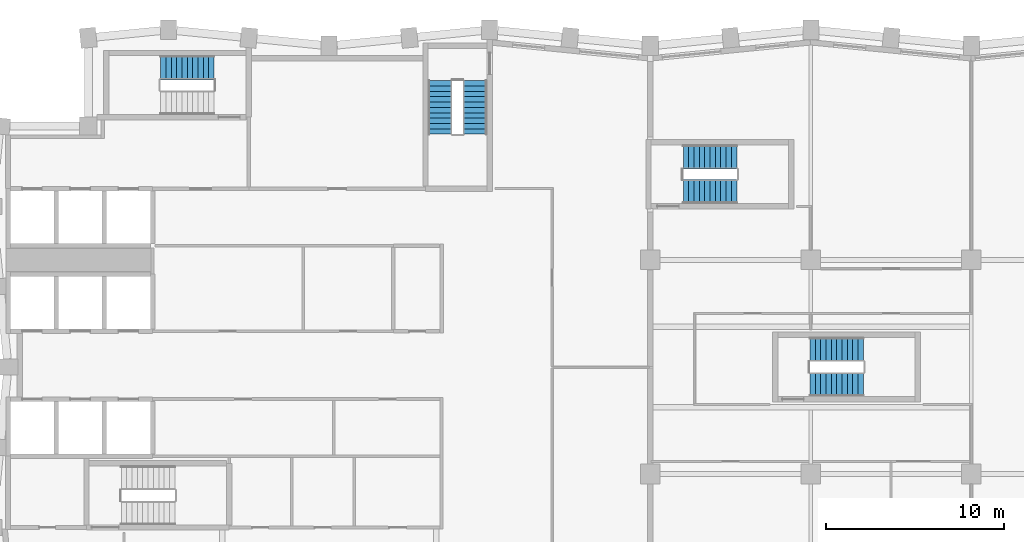
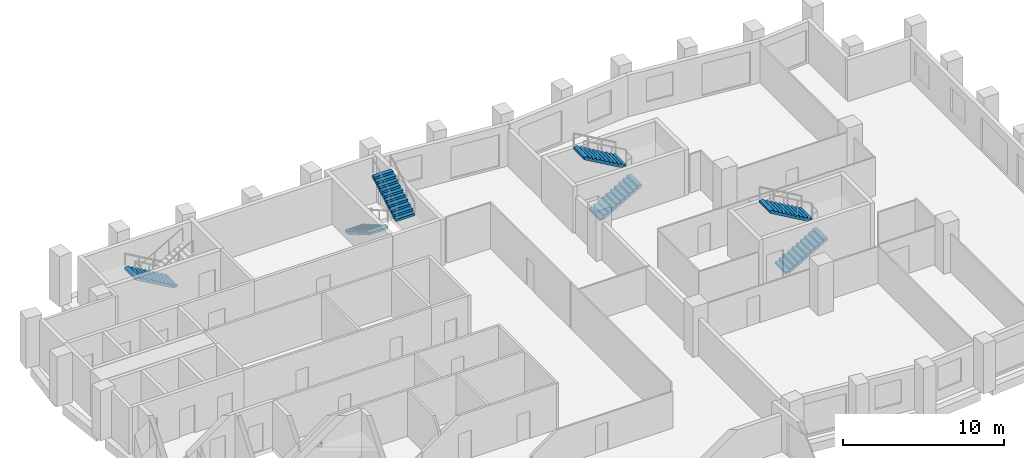
# One storey, part 8 of 10: 7 stair flights, 4 elements without a shape of their own.
"""IFC4 building model written with IfcOpenShell, lengths in metres."""

from ifc_helpers import new_model, si_unit, direction, frame, origin, place, context, subcontext, project, spatial, polyline, outline, extrude, material, type_object, element, aggregate, save


model = new_model("IFC4")

# Units and contexts
model_context = context("Model", 3, precision=1e-05, world=origin(), true_north=direction((0.0, 1.0)))
body_context = subcontext(model_context, "Body", "Model", "MODEL_VIEW")
ifc_project = project(units=[si_unit("LENGTHUNIT", "METRE"), si_unit("AREAUNIT", "SQUARE_METRE"), si_unit("VOLUMEUNIT", "CUBIC_METRE"), si_unit("PLANEANGLEUNIT", "RADIAN"), si_unit("MASSUNIT", "GRAM", prefix="KILO")], contexts=[model_context])

# Site, building, storey
site_placement = place(None, origin())
site = spatial("IfcSite", under=ifc_project, at=site_placement, CompositionType="ELEMENT")
building_placement = place(site_placement, origin())
building = spatial("IfcBuilding", under=site, at=building_placement, Name="Brondeck Convention Tower", CompositionType="ELEMENT")
storey_placement = place(building_placement, frame((0.0, 0.0, 162.39990234375)))
storey = spatial("IfcBuildingStorey", under=building, at=storey_placement, Name="L39", CompositionType="ELEMENT", Elevation=162.39990234375)

# Stair, stair flights
ifc_material = material(Name="Precast concrete C50/60", Category="concrete")
stair_type = type_object("IfcStairType", Name="Core stair 22 risers 172.73 mm riser 300 mm going 1350 wide", PredefinedType="HALF_TURN_STAIR", material=ifc_material)
stair_1_placement = place(storey_placement, origin())
stair_1 = element("IfcStair", 1, at=stair_1_placement, inside=storey, type_object=stair_type, Name="ST-2 L39 stair", PredefinedType="HALF_TURN_STAIR")
stair_flight_type = type_object("IfcStairFlightType", Name="Core stair flight 22 risers 172.73 mm riser 300 mm going 1350 wide", PredefinedType="STRAIGHT", material=ifc_material)
stair_flight_1_placement = place(storey_placement, frame((24.22509765625, 61.050048828125, 0.0), z_axis=(0.0, 0.0, 1.0), x_axis=(0.0, -1.0, 0.0)))
stair_flight_1 = element("IfcStairFlight", 2, at=stair_flight_1_placement, type_object=stair_flight_type, Name="ST-2 flight 1", NumberOfRisers=11, NumberOfTreads=10, PredefinedType="STRAIGHT", RiserHeight=0.172727273, TreadLength=0.3, context=body_context, shape_type="SweptSolid", body=[
    extrude(outline(polyline([(0.0, 0.0), (0.0, 0.172607421875), (0.300048828125, 0.172607421875), (0.300048828125, 0.345458984375), (0.60009765625, 0.345458984375), (0.60009765625, 0.51806640625), (0.89990234375, 0.51806640625), (0.89990234375, 0.69091796875), (1.199951171875, 0.69091796875), (1.199951171875, 0.863525390625), (1.5, 0.863525390625), (1.5, 1.036376953125), (1.800048828125, 1.036376953125), (1.800048828125, 1.208984375), (2.10009765625, 1.208984375), (2.10009765625, 1.3818359375), (2.39990234375, 1.3818359375), (2.39990234375, 1.554443359375), (2.699951171875, 1.554443359375), (2.699951171875, 1.727294921875), (3.0, 1.727294921875), (3.0, 1.89990234375), (3.0, 1.55419921875), (0.300537109375, 0.0), (0.0, 0.0)])), frame((0.0, 0.675048828125, 0.0), z_axis=(0.0, -1.0, 0.0), x_axis=(1.0, 0.0, 0.0)), (0.0, 0.0, 1.0), 1.35009765625),
])
stair_flight_2_placement = place(storey_placement, frame((26.175048828125, 58.050048828125, 1.900146484375), z_axis=(0.0, 0.0, 1.0), x_axis=(0.0, 1.0, 0.0)))
stair_flight_2 = element("IfcStairFlight", 3, at=stair_flight_2_placement, type_object=stair_flight_type, Name="ST-2 flight 2", NumberOfRisers=11, NumberOfTreads=10, PredefinedType="STRAIGHT", RiserHeight=0.172727273, TreadLength=0.3, context=body_context, shape_type="SweptSolid", body=[
    extrude(outline(polyline([(0.0, 0.0), (0.0, 0.172607421875), (0.300048828125, 0.172607421875), (0.300048828125, 0.345458984375), (0.60009765625, 0.345458984375), (0.60009765625, 0.51806640625), (0.89990234375, 0.51806640625), (0.89990234375, 0.69091796875), (1.199951171875, 0.69091796875), (1.199951171875, 0.863525390625), (1.5, 0.863525390625), (1.5, 1.036376953125), (1.800048828125, 1.036376953125), (1.800048828125, 1.208984375), (2.10009765625, 1.208984375), (2.10009765625, 1.3818359375), (2.39990234375, 1.3818359375), (2.39990234375, 1.554443359375), (2.699951171875, 1.554443359375), (2.699951171875, 1.727294921875), (3.0, 1.727294921875), (3.0, 1.89990234375), (3.0, 1.55419921875), (0.300537109375, 0.0), (0.0, 0.0)])), frame((0.0, 0.675048828125, 0.0), z_axis=(0.0, -1.0, 0.0), x_axis=(1.0, 0.0, 0.0)), (0.0, 0.0, 1.0), 1.35009765625),
])
aggregate(stair_1, [stair_flight_1, stair_flight_2])

# Stair, stair flight
stair_2_placement = place(storey_placement, origin())
stair_2 = element("IfcStair", 4, at=stair_2_placement, inside=storey, type_object=stair_type, Name="ST-3 L39 stair", PredefinedType="HALF_TURN_STAIR")
stair_flight_3_placement = place(storey_placement, frame((11.550048828125, 61.77490234375, 0.0), z_axis=(0.0, 0.0, 1.0), x_axis=(-1.0, 0.0, 0.0)))
stair_flight_3 = element("IfcStairFlight", 5, at=stair_flight_3_placement, type_object=stair_flight_type, Name="ST-3 flight 1", NumberOfRisers=11, NumberOfTreads=10, PredefinedType="STRAIGHT", RiserHeight=0.172727273, TreadLength=0.3, context=body_context, shape_type="SweptSolid", body=[
    extrude(outline(polyline([(0.0, 0.0), (0.0, 0.172607421875), (0.300048828125, 0.172607421875), (0.300048828125, 0.345458984375), (0.60009765625, 0.345458984375), (0.60009765625, 0.51806640625), (0.89990234375, 0.51806640625), (0.89990234375, 0.69091796875), (1.199951171875, 0.69091796875), (1.199951171875, 0.863525390625), (1.5, 0.863525390625), (1.5, 1.036376953125), (1.800048828125, 1.036376953125), (1.800048828125, 1.208984375), (2.10009765625, 1.208984375), (2.10009765625, 1.3818359375), (2.39990234375, 1.3818359375), (2.39990234375, 1.554443359375), (2.699951171875, 1.554443359375), (2.699951171875, 1.727294921875), (3.0, 1.727294921875), (3.0, 1.89990234375), (3.0, 1.55419921875), (0.300537109375, 0.0), (0.0, 0.0)])), frame((0.0, 0.675048828125, 0.0), z_axis=(0.0, -1.0, 0.0), x_axis=(1.0, 0.0, 0.0)), (0.0, 0.0, 1.0), 1.35009765625),
])
aggregate(stair_2, [stair_flight_3])

# Stair, stair flights
stair_3_placement = place(storey_placement, origin())
stair_3 = element("IfcStair", 6, at=stair_3_placement, inside=storey, type_object=stair_type, Name="ST-AE L39 stair", PredefinedType="HALF_TURN_STAIR")
stair_flight_4_placement = place(storey_placement, frame((37.85009765625, 54.824951171875, 0.0), z_axis=(0.0, 0.0, 1.0), x_axis=(1.0, 0.0, 0.0)))
stair_flight_4 = element("IfcStairFlight", 7, at=stair_flight_4_placement, type_object=stair_flight_type, Name="ST-AE flight 1", NumberOfRisers=11, NumberOfTreads=10, PredefinedType="STRAIGHT", RiserHeight=0.172727273, TreadLength=0.3, context=body_context, shape_type="SweptSolid", body=[
    extrude(outline(polyline([(0.0, 0.0), (0.0, 0.172607421875), (0.300048828125, 0.172607421875), (0.300048828125, 0.345458984375), (0.60009765625, 0.345458984375), (0.60009765625, 0.51806640625), (0.89990234375, 0.51806640625), (0.89990234375, 0.69091796875), (1.199951171875, 0.69091796875), (1.199951171875, 0.863525390625), (1.5, 0.863525390625), (1.5, 1.036376953125), (1.800048828125, 1.036376953125), (1.800048828125, 1.208984375), (2.10009765625, 1.208984375), (2.10009765625, 1.3818359375), (2.39990234375, 1.3818359375), (2.39990234375, 1.554443359375), (2.699951171875, 1.554443359375), (2.699951171875, 1.727294921875), (3.0, 1.727294921875), (3.0, 1.89990234375), (3.0, 1.55419921875), (0.300537109375, 0.0), (0.0, 0.0)])), frame((0.0, 0.675048828125, 0.0), z_axis=(0.0, -1.0, 0.0), x_axis=(1.0, 0.0, 0.0)), (0.0, 0.0, 1.0), 1.35009765625),
])
stair_flight_5_placement = place(storey_placement, frame((40.85009765625, 56.77490234375, 1.900146484375), z_axis=(0.0, 0.0, 1.0), x_axis=(-1.0, 0.0, 0.0)))
stair_flight_5 = element("IfcStairFlight", 8, at=stair_flight_5_placement, type_object=stair_flight_type, Name="ST-AE flight 2", NumberOfRisers=11, NumberOfTreads=10, PredefinedType="STRAIGHT", RiserHeight=0.172727273, TreadLength=0.3, context=body_context, shape_type="SweptSolid", body=[
    extrude(outline(polyline([(0.0, 0.0), (0.0, 0.172607421875), (0.300048828125, 0.172607421875), (0.300048828125, 0.345458984375), (0.60009765625, 0.345458984375), (0.60009765625, 0.51806640625), (0.89990234375, 0.51806640625), (0.89990234375, 0.69091796875), (1.199951171875, 0.69091796875), (1.199951171875, 0.863525390625), (1.5, 0.863525390625), (1.5, 1.036376953125), (1.800048828125, 1.036376953125), (1.800048828125, 1.208984375), (2.10009765625, 1.208984375), (2.10009765625, 1.3818359375), (2.39990234375, 1.3818359375), (2.39990234375, 1.554443359375), (2.699951171875, 1.554443359375), (2.699951171875, 1.727294921875), (3.0, 1.727294921875), (3.0, 1.89990234375), (3.0, 1.55419921875), (0.300537109375, 0.0), (0.0, 0.0)])), frame((0.0, 0.675048828125, 0.0), z_axis=(0.0, -1.0, 0.0), x_axis=(1.0, 0.0, 0.0)), (0.0, 0.0, 1.0), 1.35009765625),
])
aggregate(stair_3, [stair_flight_4, stair_flight_5])

stair_4_placement = place(storey_placement, origin())
stair_4 = element("IfcStair", 9, at=stair_4_placement, inside=storey, type_object=stair_type, Name="ST-AF L39 stair", PredefinedType="HALF_TURN_STAIR")
stair_flight_6_placement = place(storey_placement, frame((44.949951171875, 44.02490234375, 0.0), z_axis=(0.0, 0.0, 1.0), x_axis=(1.0, 0.0, 0.0)))
stair_flight_6 = element("IfcStairFlight", 10, at=stair_flight_6_placement, type_object=stair_flight_type, Name="ST-AF flight 1", NumberOfRisers=11, NumberOfTreads=10, PredefinedType="STRAIGHT", RiserHeight=0.172727273, TreadLength=0.3, context=body_context, shape_type="SweptSolid", body=[
    extrude(outline(polyline([(0.0, 0.0), (0.0, 0.172607421875), (0.300048828125, 0.172607421875), (0.300048828125, 0.345458984375), (0.60009765625, 0.345458984375), (0.60009765625, 0.51806640625), (0.89990234375, 0.51806640625), (0.89990234375, 0.69091796875), (1.199951171875, 0.69091796875), (1.199951171875, 0.863525390625), (1.5, 0.863525390625), (1.5, 1.036376953125), (1.800048828125, 1.036376953125), (1.800048828125, 1.208984375), (2.10009765625, 1.208984375), (2.10009765625, 1.3818359375), (2.39990234375, 1.3818359375), (2.39990234375, 1.554443359375), (2.699951171875, 1.554443359375), (2.699951171875, 1.727294921875), (3.0, 1.727294921875), (3.0, 1.89990234375), (3.0, 1.55419921875), (0.300537109375, 0.0), (0.0, 0.0)])), frame((0.0, 0.675048828125, 0.0), z_axis=(0.0, -1.0, 0.0), x_axis=(1.0, 0.0, 0.0)), (0.0, 0.0, 1.0), 1.35009765625),
])
stair_flight_7_placement = place(storey_placement, frame((47.949951171875, 45.97509765625, 1.900146484375), z_axis=(0.0, 0.0, 1.0), x_axis=(-1.0, 0.0, 0.0)))
stair_flight_7 = element("IfcStairFlight", 11, at=stair_flight_7_placement, type_object=stair_flight_type, Name="ST-AF flight 2", NumberOfRisers=11, NumberOfTreads=10, PredefinedType="STRAIGHT", RiserHeight=0.172727273, TreadLength=0.3, context=body_context, shape_type="SweptSolid", body=[
    extrude(outline(polyline([(0.0, 0.0), (0.0, 0.172607421875), (0.300048828125, 0.172607421875), (0.300048828125, 0.345458984375), (0.60009765625, 0.345458984375), (0.60009765625, 0.51806640625), (0.89990234375, 0.51806640625), (0.89990234375, 0.69091796875), (1.199951171875, 0.69091796875), (1.199951171875, 0.863525390625), (1.5, 0.863525390625), (1.5, 1.036376953125), (1.800048828125, 1.036376953125), (1.800048828125, 1.208984375), (2.10009765625, 1.208984375), (2.10009765625, 1.3818359375), (2.39990234375, 1.3818359375), (2.39990234375, 1.554443359375), (2.699951171875, 1.554443359375), (2.699951171875, 1.727294921875), (3.0, 1.727294921875), (3.0, 1.89990234375), (3.0, 1.55419921875), (0.300537109375, 0.0), (0.0, 0.0)])), frame((0.0, 0.675048828125, 0.0), z_axis=(0.0, -1.0, 0.0), x_axis=(1.0, 0.0, 0.0)), (0.0, 0.0, 1.0), 1.35009765625),
])
aggregate(stair_4, [stair_flight_6, stair_flight_7])

save(model, "model.ifc")
